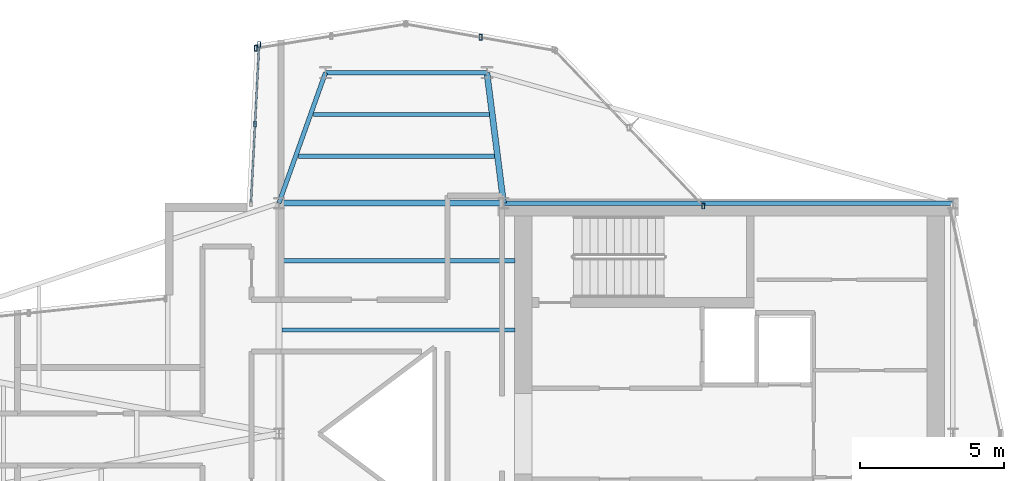
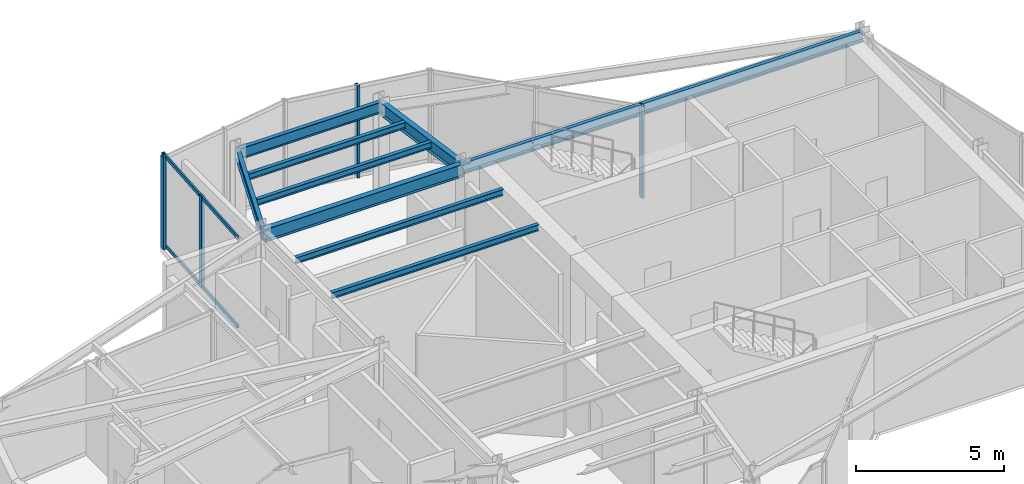
# One storey, part 5 of 13: 9 beams, 7 members, 4 elements without a shape of their own.
"""IFC4 building model written with IfcOpenShell, lengths in metres."""

import ifcopenshell
import ifcopenshell.guid

model = None  # the IFC model being written
_history = None  # IfcOwnerHistory: only IFC2X3 demands one
_inside = {}  # id of a spatial element -> (the spatial element, [elements in it])
_under = {}  # id of a project, library or spatial element -> (it, [spatial elements below it])
_declared = {}  # id of a project -> (the project, [libraries it declares])
_typed = {}  # id of a type object -> (the type object, [elements of that type])
_made_of = {}  # id of a material, layer set ... -> (it, [elements and type objects made of it])


def new_model(schema):
    """Start an empty IFC model of exactly this schema.

    Asked for "IFC4X3", IfcOpenShell would pick the latest addendum, in which some entities
    have other attributes; the version numbers below select the first issue.
    IFC2X3 requires an IfcOwnerHistory on every rooted entity: one is made here for all.
    """
    global model, _history
    if schema == "IFC4X3":
        model = ifcopenshell.file(schema_version=(4, 3, 0, 0))
    else:
        model = ifcopenshell.file(schema=schema)
    _inside.clear()
    _under.clear()
    _declared.clear()
    _typed.clear()
    _made_of.clear()
    _history = None
    if model.schema == "IFC2X3":
        org = make("IfcOrganization", Name="unknown")
        user = make(
            "IfcPersonAndOrganization",
            ThePerson=make("IfcPerson", FamilyName="unknown"),
            TheOrganization=org,
        )
        app = make(
            "IfcApplication",
            ApplicationDeveloper=org,
            Version="unknown",
            ApplicationFullName="unknown",
            ApplicationIdentifier="unknown",
        )
        _history = make(
            "IfcOwnerHistory",
            OwningUser=user,
            OwningApplication=app,
            ChangeAction="ADDED",
            CreationDate=0,
        )
    return model


def make(cls, **values):
    """One entity of the class cls with the attributes given. An attribute that is None is left unset."""
    return model.create_entity(
        cls, **{name: value for name, value in values.items() if value is not None}
    )


def rooted(cls, **values):
    """An entity with a GlobalId (a new one), such as an element, a storey or a relation."""
    return make(cls, GlobalId=ifcopenshell.guid.new(), OwnerHistory=_history, **values)


def si_unit(unit_type, name, prefix=None):
    """IfcSIUnit, for example si_unit("LENGTHUNIT", "METRE", prefix="MILLI")."""
    return make("IfcSIUnit", UnitType=unit_type, Prefix=prefix, Name=name)


def assignment(units):
    """IfcUnitAssignment: the units of a project."""
    return None if units is None else make("IfcUnitAssignment", Units=units)


def point(xyz):
    """IfcCartesianPoint."""
    return None if xyz is None else make("IfcCartesianPoint", Coordinates=xyz)


def direction(xyz):
    """IfcDirection."""
    return None if xyz is None else make("IfcDirection", DirectionRatios=xyz)


def frame(location, z_axis=None, x_axis=None):
    """IfcAxis2Placement3D, a coordinate frame: its origin and axes. An axis left out is left unset."""
    return make(
        "IfcAxis2Placement3D",
        Location=point(location),
        Axis=direction(z_axis),
        RefDirection=direction(x_axis),
    )


def frame_2d(location, x_axis=None):
    """IfcAxis2Placement2D, a coordinate frame in the plane: its origin and x axis."""
    return make(
        "IfcAxis2Placement2D", Location=point(location), RefDirection=direction(x_axis)
    )


def origin():
    """The frame at (0, 0, 0) with its axes left unset."""
    return frame((0.0, 0.0, 0.0))


def origin_2d():
    """The frame at (0, 0) in the plane with its x axis left unset."""
    return frame_2d((0.0, 0.0))


def place(relative_to, where):
    """IfcLocalPlacement: puts the frame where relative to a parent placement (None: the world)."""
    return make(
        "IfcLocalPlacement", PlacementRelTo=relative_to, RelativePlacement=where
    )


def context(
    kind, dimensions, precision=None, world=None, true_north=None, identifier=None
):
    """IfcGeometricRepresentationContext, for example the 3D "Model" context."""
    return make(
        "IfcGeometricRepresentationContext",
        ContextIdentifier=identifier,
        ContextType=kind,
        CoordinateSpaceDimension=dimensions,
        Precision=precision,
        WorldCoordinateSystem=world,
        TrueNorth=true_north,
    )


def subcontext(parent, identifier, kind, view, scale=None):
    """IfcGeometricRepresentationSubContext, for example "Body" below "Model"."""
    return make(
        "IfcGeometricRepresentationSubContext",
        ContextIdentifier=identifier,
        ContextType=kind,
        ParentContext=parent,
        TargetScale=scale,
        TargetView=view,
    )


def project(units=None, contexts=None):
    """IfcProject with its units and contexts."""
    return rooted(
        "IfcProject",
        Name="project",
        RepresentationContexts=contexts,
        UnitsInContext=assignment(units),
    )


def spatial(cls, under=None, at=None, **own):
    """A site, building, storey or space (cls), placed at a placement, below another one or the project."""
    s = rooted(cls, ObjectPlacement=at, **own)
    if under is not None:
        _under.setdefault(under.id(), (under, []))[1].append(s)
    return s


def profile(cls, at=None, kind="AREA", **sizes):
    """A parametric profile (cls). Its sizes go by their IFC names, for example OverallWidth=200.0."""
    return make(cls, ProfileType=kind, Position=at, **sizes)


def hollow_rectangle(**sizes):
    """IfcRectangleHollowProfileDef."""
    return profile("IfcRectangleHollowProfileDef", **sizes)


def i_section(**sizes):
    """IfcIShapeProfileDef."""
    return profile("IfcIShapeProfileDef", **sizes)


def extrude(swept, where, along, depth):
    """IfcExtrudedAreaSolid: the profile swept, set in the frame where, extruded along a direction by depth."""
    return make(
        "IfcExtrudedAreaSolid",
        SweptArea=swept,
        Position=where,
        ExtrudedDirection=direction(along),
        Depth=depth,
    )


def shape(context_of_items, identifier, shape_type, items):
    """IfcShapeRepresentation: the items that make up one representation, for example the "Body"."""
    return make(
        "IfcShapeRepresentation",
        ContextOfItems=context_of_items,
        RepresentationIdentifier=identifier,
        RepresentationType=shape_type,
        Items=items,
    )


def material(Name=None, Category=None):
    """IfcMaterial."""
    return make("IfcMaterial", Name=Name, Category=Category)


def layer(
    of_material, thickness, ventilated=None, Name=None, Category=None, Priority=None
):
    """IfcMaterialLayer: one layer of a wall or slab, of a material (None: an air gap)."""
    return make(
        "IfcMaterialLayer",
        Material=of_material,
        LayerThickness=thickness,
        IsVentilated=ventilated,
        Name=Name,
        Category=Category,
        Priority=Priority,
    )


def layer_set(layers, Name=None):
    """IfcMaterialLayerSet."""
    return make("IfcMaterialLayerSet", MaterialLayers=layers, LayerSetName=Name)


def material_profile(
    of_material, cross_section, Name=None, Category=None, Priority=None
):
    """IfcMaterialProfile: a cross section and its material."""
    return make(
        "IfcMaterialProfile",
        Name=Name,
        Material=of_material,
        Profile=cross_section,
        Priority=Priority,
        Category=Category,
    )


def profile_set(profiles, Name=None, composite=None):
    """IfcMaterialProfileSet."""
    return make(
        "IfcMaterialProfileSet",
        Name=Name,
        MaterialProfiles=profiles,
        CompositeProfile=composite,
    )


def made_of(thing, what):
    """Note that an element or type object is made of a material, layer set ...; save() writes the relation."""
    if what is not None:
        _made_of.setdefault(what.id(), (what, []))[1].append(thing)
    return thing


def type_object(cls, material=None, **own):
    """A type object (cls), such as IfcWallType, which elements share."""
    return made_of(rooted(cls, **own), material)


def element(
    cls,
    number,
    at=None,
    inside=None,
    cuts=None,
    type_object=None,
    material=None,
    context=None,
    identifier="Body",
    shape_type=None,
    held_by="IfcProductDefinitionShape",
    body=None,
    shapes=None,
    **own,
):
    """One element of the class cls, such as IfcWall. Its Tag is "e" and its number.

    at: its placement. inside: the storey or other place that contains it. cuts: it is an
    opening in that element (IfcRelVoidsElement). A single representation is given by context,
    identifier, shape_type and body (its items); several are given by shapes. held_by: the class
    of the entity that holds the representations. save() writes the other relations.
    """
    e = rooted(cls, Tag="e%d" % number, ObjectPlacement=at, **own)
    if body is not None:
        shapes = [shape(context, identifier, shape_type, body)]
    if shapes is not None:
        e.Representation = make(held_by, Representations=shapes)
    if inside is not None:
        _inside.setdefault(inside.id(), (inside, []))[1].append(e)
    if cuts is not None:
        rooted(
            "IfcRelVoidsElement", RelatingBuildingElement=cuts, RelatedOpeningElement=e
        )
    if type_object is not None:
        _typed.setdefault(type_object.id(), (type_object, []))[1].append(e)
    return made_of(e, material)


def aggregate(whole, parts):
    """IfcRelAggregates: a whole, such as a stair, and the parts it consists of."""
    return rooted("IfcRelAggregates", RelatingObject=whole, RelatedObjects=parts)


def save(model, path):
    """Write the relations noted so far, then the file.

    IfcRelAggregates (storeys below a building ...), IfcRelContainedInSpatialStructure (elements
    in a storey), IfcRelDefinesByType, IfcRelAssociatesMaterial and IfcRelDeclares: one each for
    every whole, place, type object, material and project.
    """
    for whole, parts in _under.values():
        aggregate(whole, parts)
    for where, things in _inside.values():
        rooted(
            "IfcRelContainedInSpatialStructure",
            RelatedElements=things,
            RelatingStructure=where,
        )
    for kind, things in _typed.values():
        rooted("IfcRelDefinesByType", RelatedObjects=things, RelatingType=kind)
    for what, things in _made_of.values():
        rooted("IfcRelAssociatesMaterial", RelatedObjects=things, RelatingMaterial=what)
    for by, libraries in _declared.values():
        rooted("IfcRelDeclares", RelatingContext=by, RelatedDefinitions=libraries)
    model.write(path)


model = new_model("IFC4")

# Units and contexts
model_context = context("Model", 3, precision=1e-05, world=origin(), true_north=direction((0.0, 1.0)))
body_context = subcontext(model_context, "Body", "Model", "MODEL_VIEW")
ifc_project = project(units=[si_unit("LENGTHUNIT", "METRE"), si_unit("AREAUNIT", "SQUARE_METRE"), si_unit("VOLUMEUNIT", "CUBIC_METRE"), si_unit("PLANEANGLEUNIT", "RADIAN"), si_unit("MASSUNIT", "GRAM", prefix="KILO")], contexts=[model_context])

# Site, building, storey
site_placement = place(None, origin())
site = spatial("IfcSite", under=ifc_project, at=site_placement, CompositionType="ELEMENT")
building_placement = place(site_placement, origin())
building = spatial("IfcBuilding", under=site, at=building_placement, Name="Veymaron Broadcast Tower", CompositionType="ELEMENT")
storey_placement = place(building_placement, frame((0.0, 0.0, 291.14990234375)))
storey = spatial("IfcBuildingStorey", under=building, at=storey_placement, Name="L68", CompositionType="ELEMENT", Elevation=291.14990234375)

# Beams
ifc_material_1 = material(Name="Structural steel ASTM A992 Gr 50", Category="steel")
ifc_material_profile_1 = material_profile(ifc_material_1, i_section(OverallWidth=0.208984375, OverallDepth=0.528076171875, WebThickness=0.009521484375, FlangeThickness=0.01318359375, at=origin_2d()), Name="W530X82")
ifc_profile_set_1 = profile_set([ifc_material_profile_1], Name="Structural steel ASTM A992 Gr 50")
beam_type_1 = type_object("IfcBeamType", Name="BM-FG4", PredefinedType="BEAM", material=ifc_profile_set_1)
beam_1_placement = place(storey_placement, frame((31.199951171875, 32.0, 3.546142578125), z_axis=(1.0, 0.0, 0.0), x_axis=(0.0, 1.0, 0.0)))
element("IfcBeam", 1, at=beam_1_placement, inside=storey, type_object=beam_type_1, Name="L68 primary structural floor girder", PredefinedType="BEAM", context=body_context, shape_type="SweptSolid", body=[
    extrude(i_section(OverallWidth=0.208984375, OverallDepth=0.528076171875, WebThickness=0.009521484375, FlangeThickness=0.01318359375, at=origin_2d()), origin(), (0.0, 0.0, 1.0), 7.800048828125),
])
beam_2_placement = place(storey_placement, frame((39.0, 32.0, 3.546142578125), z_axis=(-0.126487567317, 0.991968192693, 0.0), x_axis=(-0.991968192693, -0.126487567317, 0.0)))
element("IfcBeam", 2, at=beam_2_placement, inside=storey, type_object=beam_type_1, Name="L68 primary structural floor girder", PredefinedType="BEAM", context=body_context, shape_type="SweptSolid", body=[
    extrude(i_section(OverallWidth=0.208984375, OverallDepth=0.528076171875, WebThickness=0.009521484375, FlangeThickness=0.01318359375, at=origin_2d()), origin(), (0.0, 0.0, 1.0), 4.568603515625),
])
ifc_material_profile_2 = material_profile(ifc_material_1, i_section(OverallWidth=0.14599609375, OverallDepth=0.258056640625, WebThickness=0.006103515625, FlangeThickness=0.009033203125, at=origin_2d()), Name="W250X33")
ifc_profile_set_2 = profile_set([ifc_material_profile_2], Name="Structural steel ASTM A992 Gr 50")
beam_type_2 = type_object("IfcBeamType", Name="BM-JS4", PredefinedType="JOIST", material=ifc_profile_set_2)
beam_3_placement = place(storey_placement, frame((31.882568359375, 33.631591796875, 3.68115234375), z_axis=(1.0, 0.0, 0.0), x_axis=(0.0, 1.0, 0.0)))
element("IfcBeam", 3, at=beam_3_placement, inside=storey, type_object=beam_type_2, Name="L68 Arm-B secondary joist 1", PredefinedType="JOIST", context=body_context, shape_type="SweptSolid", body=[
    extrude(i_section(OverallWidth=0.14599609375, OverallDepth=0.258056640625, WebThickness=0.006103515625, FlangeThickness=0.009033203125, at=origin_2d()), origin(), (0.0, 0.0, 1.0), 6.809326171875),
])
beam_4_placement = place(storey_placement, frame((32.400390625, 35.081787109375, 3.68115234375), z_axis=(1.0, 0.0, 0.0), x_axis=(0.0, 1.0, 0.0)))
element("IfcBeam", 4, at=beam_4_placement, inside=storey, type_object=beam_type_2, Name="L68 Arm-B secondary joist 2", PredefinedType="JOIST", context=body_context, shape_type="SweptSolid", body=[
    extrude(i_section(OverallWidth=0.14599609375, OverallDepth=0.258056640625, WebThickness=0.006103515625, FlangeThickness=0.009033203125, at=origin_2d()), origin(), (0.0, 0.0, 1.0), 6.106689453125),
])
for number, where, z_axis, x_axis, name in (
    (5, (31.300048828125, 27.60009765625, 3.68115234375), (1.0, 0.0, 0.0), (0.0, 1.0, 0.0), "L68 Hub secondary joist 3"),
    (6, (31.300048828125, 30.0, 3.68115234375), (1.0, 0.0, 0.0), (0.0, 1.0, 0.0), "L68 Hub secondary joist 4"),
):
    element("IfcBeam", number, at=place(storey_placement, frame(where, z_axis=z_axis, x_axis=x_axis)), inside=storey, type_object=beam_type_2, Name=name, PredefinedType="JOIST", context=body_context, shape_type="SweptSolid", body=[
        extrude(i_section(OverallWidth=0.14599609375, OverallDepth=0.258056640625, WebThickness=0.006103515625, FlangeThickness=0.009033203125, at=origin_2d()), origin(), (0.0, 0.0, 1.0), 8.099853515625),
    ])
ifc_material_profile_3 = material_profile(ifc_material_1, i_section(OverallWidth=0.154052734375, OverallDepth=0.458984375, WebThickness=0.009033203125, FlangeThickness=0.015380859375, at=origin_2d()), Name="W460X68")
ifc_profile_set_3 = profile_set([ifc_material_profile_3], Name="Structural steel ASTM A992 Gr 50")
beam_type_3 = type_object("IfcBeamType", Name="BM-SP2", PredefinedType="SPANDREL", material=ifc_profile_set_3)
beam_5_placement = place(storey_placement, frame((39.0, 32.0, 3.58056640625), z_axis=(1.0, 0.0, 0.0), x_axis=(0.0, 1.0, 0.0)))
element("IfcBeam", 7, at=beam_5_placement, inside=storey, type_object=beam_type_3, Name="L68 primary structural floor girder", PredefinedType="SPANDREL", context=body_context, shape_type="SweptSolid", body=[
    extrude(i_section(OverallWidth=0.154052734375, OverallDepth=0.458984375, WebThickness=0.009033203125, FlangeThickness=0.015380859375, at=origin_2d()), origin(), (0.0, 0.0, 1.0), 15.60009765625),
])
beam_6_placement = place(storey_placement, frame((31.199951171875, 32.0, 3.58056640625), z_axis=(0.336307472279, 0.941752241351, 0.0), x_axis=(-0.941752241351, 0.336307472279, 0.0)))
element("IfcBeam", 8, at=beam_6_placement, inside=storey, type_object=beam_type_3, Name="L68 primary structural floor girder", PredefinedType="SPANDREL", context=body_context, shape_type="SweptSolid", body=[
    extrude(i_section(OverallWidth=0.154052734375, OverallDepth=0.458984375, WebThickness=0.009033203125, FlangeThickness=0.015380859375, at=origin_2d()), origin(), (0.0, 0.0, 1.0), 4.812255859375),
])
beam_7_placement = place(storey_placement, frame((32.818359375, 36.531982421875, 3.58056640625), z_axis=(1.0, 0.0, 0.0), x_axis=(0.0, 1.0, 0.0)))
element("IfcBeam", 9, at=beam_7_placement, inside=storey, type_object=beam_type_3, Name="L68 primary structural floor girder", PredefinedType="SPANDREL", context=body_context, shape_type="SweptSolid", body=[
    extrude(i_section(OverallWidth=0.154052734375, OverallDepth=0.458984375, WebThickness=0.009033203125, FlangeThickness=0.015380859375, at=origin_2d()), origin(), (0.0, 0.0, 1.0), 5.603759765625),
])

# Curtain wall, member
ifc_material_2 = material(Name="Anodised aluminium AA 6063-T6 and laminated low-E dark glass", Category="aluminium")
ifc_layer = layer(ifc_material_2, 0.179931640625)
ifc_layer_set = layer_set([ifc_layer], Name="Anodised aluminium AA 6063-T6 and laminated low-E dark glass")
curtain_wall_type = type_object("IfcCurtainWallType", Name="CW-SYS-06", PredefinedType="NOTDEFINED", material=ifc_layer_set)
curtain_wall_1_placement = place(storey_placement, origin())
curtain_wall_1 = element("IfcCurtainWall", 10, at=curtain_wall_1_placement, inside=storey, type_object=curtain_wall_type, Name="L68 dark-glass curtain wall CW-L68-E5-1", PredefinedType="NOTDEFINED")
ifc_material_3 = material(Name="Anodised aluminium AA 6063-T6", Category="aluminium")
ifc_material_profile_4 = material_profile(ifc_material_3, hollow_rectangle(XDim=0.10009765625, YDim=0.199951171875, WallThickness=0.010009765625, at=origin_2d()), Name="RHS200X100X10")
ifc_profile_set_4 = profile_set([ifc_material_profile_4], Name="Anodised aluminium AA 6063-T6")
member_type_1 = type_object("IfcMemberType", Name="CW-MUL-01", PredefinedType="MULLION", material=ifc_profile_set_4)
member_1_placement = place(storey_placement, frame((45.934326171875, 31.9033203125, 0.0), z_axis=(0.0, 0.0, 1.0), x_axis=(1.0, 0.0, 0.0)))
member_1 = element("IfcMember", 11, at=member_1_placement, type_object=member_type_1, Name="CW-L68-E5-1 mullion 0", PredefinedType="MULLION", context=body_context, shape_type="SweptSolid", body=[
    extrude(hollow_rectangle(XDim=0.10009765625, YDim=0.199951171875, WallThickness=0.010009765625, at=origin_2d()), origin(), (0.0, 0.0, 1.0), 3.81005859375),
])
aggregate(curtain_wall_1, [member_1])

curtain_wall_2_placement = place(storey_placement, origin())
curtain_wall_2 = element("IfcCurtainWall", 12, at=curtain_wall_2_placement, inside=storey, type_object=curtain_wall_type, Name="L68 dark-glass curtain wall CW-L68-E6-1", PredefinedType="NOTDEFINED")
member_2_placement = place(storey_placement, frame((38.2021484375, 37.75927734375, 0.0), z_axis=(0.0, 0.0, 1.0), x_axis=(1.0, 0.0, 0.0)))
member_2 = element("IfcMember", 13, at=member_2_placement, type_object=member_type_1, Name="CW-L68-E6-1 mullion 1", PredefinedType="MULLION", context=body_context, shape_type="SweptSolid", body=[
    extrude(hollow_rectangle(XDim=0.10009765625, YDim=0.199951171875, WallThickness=0.010009765625, at=origin_2d()), origin(), (0.0, 0.0, 1.0), 3.81005859375),
])
aggregate(curtain_wall_2, [member_2])

curtain_wall_3_placement = place(storey_placement, origin())
curtain_wall_3 = element("IfcCurtainWall", 14, at=curtain_wall_3_placement, inside=storey, type_object=curtain_wall_type, Name="L68 dark-glass curtain wall CW-L68-E7-1", PredefinedType="NOTDEFINED")
member_3_placement = place(storey_placement, frame((30.396728515625, 37.37890625, 0.0), z_axis=(0.0, 0.0, 1.0), x_axis=(1.0, 0.0, 0.0)))
member_3 = element("IfcMember", 15, at=member_3_placement, type_object=member_type_1, Name="CW-L68-E7-1 mullion 2", PredefinedType="MULLION", context=body_context, shape_type="SweptSolid", body=[
    extrude(hollow_rectangle(XDim=0.10009765625, YDim=0.199951171875, WallThickness=0.010009765625, at=origin_2d()), origin(), (0.0, 0.0, 1.0), 3.81005859375),
])
aggregate(curtain_wall_3, [member_3])

# Curtain wall, members
curtain_wall_4_placement = place(storey_placement, origin())
curtain_wall_4 = element("IfcCurtainWall", 16, at=curtain_wall_4_placement, inside=storey, type_object=curtain_wall_type, Name="L68 dark-glass curtain wall CW-L68-E8-1", PredefinedType="NOTDEFINED")
member_4_placement = place(storey_placement, frame((30.514404296875, 37.510009765625, 0.0), z_axis=(0.0, 0.0, 1.0), x_axis=(1.0, 0.0, 0.0)))
member_4 = element("IfcMember", 17, at=member_4_placement, type_object=member_type_1, Name="CW-L68-E8-1 mullion 0", PredefinedType="MULLION", context=body_context, shape_type="SweptSolid", body=[
    extrude(hollow_rectangle(XDim=0.10009765625, YDim=0.199951171875, WallThickness=0.010009765625, at=origin_2d()), origin(), (0.0, 0.0, 1.0), 3.81005859375),
])
member_5_placement = place(storey_placement, frame((30.372314453125, 34.75146484375, 0.0), z_axis=(0.0, 0.0, 1.0), x_axis=(1.0, 0.0, 0.0)))
member_5 = element("IfcMember", 18, at=member_5_placement, type_object=member_type_1, Name="CW-L68-E8-1 mullion 1", PredefinedType="MULLION", context=body_context, shape_type="SweptSolid", body=[
    extrude(hollow_rectangle(XDim=0.10009765625, YDim=0.199951171875, WallThickness=0.010009765625, at=origin_2d()), origin(), (0.0, 0.0, 1.0), 3.81005859375),
])
ifc_material_profile_5 = material_profile(ifc_material_3, hollow_rectangle(XDim=0.06494140625, YDim=0.14990234375, WallThickness=0.00390625, at=origin_2d()), Name="AL150X65X4")
ifc_profile_set_5 = profile_set([ifc_material_profile_5], Name="Anodised aluminium AA 6063-T6")
member_type_2 = type_object("IfcMemberType", Name="CW-TRN-01", PredefinedType="USERDEFINED", material=ifc_profile_set_5)
member_6_placement = place(storey_placement, frame((30.51171875, 37.460205078125, 0.070068359375), z_axis=(-0.051351716948, -0.998680630215, 0.0), x_axis=(0.998680630215, -0.051351716948, 0.0)))
member_6 = element("IfcMember", 19, at=member_6_placement, type_object=member_type_2, Name="CW-L68-E8-1 transom B", ObjectType="TRANSOM", PredefinedType="USERDEFINED", context=body_context, shape_type="SweptSolid", body=[
    extrude(hollow_rectangle(XDim=0.06494140625, YDim=0.14990234375, WallThickness=0.00390625, at=origin_2d()), origin(), (0.0, 0.0, 1.0), 5.424560546875),
])
member_7_placement = place(storey_placement, frame((30.51171875, 37.460205078125, 3.739990234375), z_axis=(-0.051351716948, -0.998680630215, 0.0), x_axis=(0.998680630215, -0.051351716948, 0.0)))
member_7 = element("IfcMember", 20, at=member_7_placement, type_object=member_type_2, Name="CW-L68-E8-1 transom T", ObjectType="TRANSOM", PredefinedType="USERDEFINED", context=body_context, shape_type="SweptSolid", body=[
    extrude(hollow_rectangle(XDim=0.06494140625, YDim=0.14990234375, WallThickness=0.00390625, at=origin_2d()), origin(), (0.0, 0.0, 1.0), 5.424560546875),
])
aggregate(curtain_wall_4, [member_4, member_5, member_6, member_7])

save(model, "model.ifc")
